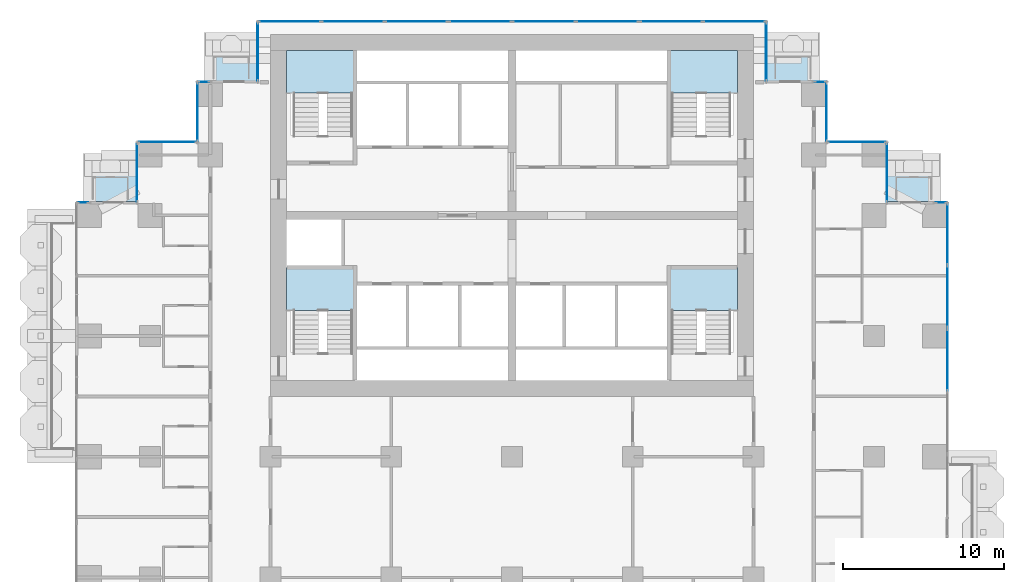
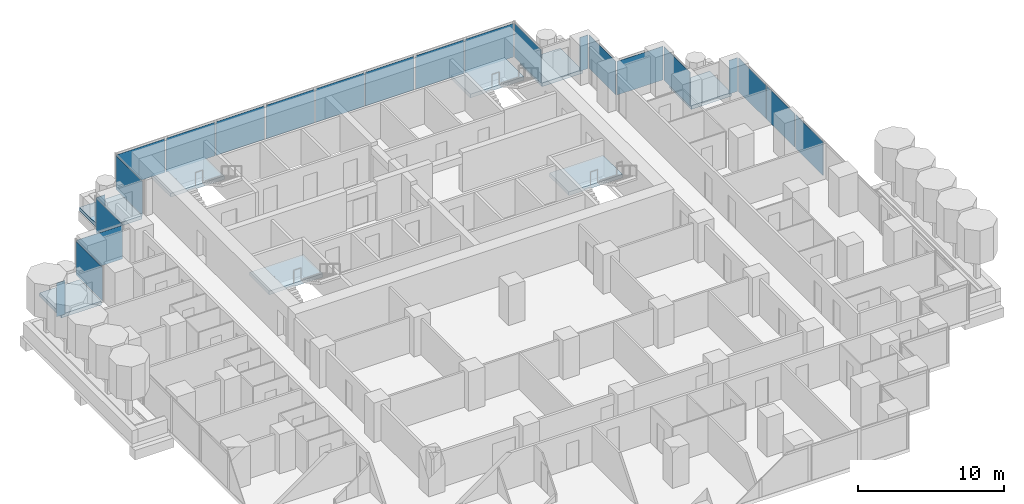
# One storey, part 9 of 18: 23 plates, 8 slabs, 21 elements without a shape of their own.
"""IFC4 building model written with IfcOpenShell, lengths in metres."""

from ifc_helpers import new_model, si_unit, direction, frame, origin, origin_2d, place, context, subcontext, project, spatial, polyline, rectangle, outline, extrude, material, layer, layer_set, type_object, element, aggregate, save


model = new_model("IFC4")

# Units and contexts
model_context = context("Model", 3, precision=1e-05, world=origin(), true_north=direction((0.0, 1.0)))
body_context = subcontext(model_context, "Body", "Model", "MODEL_VIEW")
ifc_project = project(units=[si_unit("LENGTHUNIT", "METRE"), si_unit("AREAUNIT", "SQUARE_METRE"), si_unit("VOLUMEUNIT", "CUBIC_METRE"), si_unit("PLANEANGLEUNIT", "RADIAN"), si_unit("MASSUNIT", "GRAM", prefix="KILO")], contexts=[model_context])

# Site, building, storey
site_placement = place(None, origin())
site = spatial("IfcSite", under=ifc_project, at=site_placement, CompositionType="ELEMENT")
building_placement = place(site_placement, origin())
building = spatial("IfcBuilding", under=site, at=building_placement, Name="Pilkhan Gate Tower", CompositionType="ELEMENT")
storey_placement = place(building_placement, frame((0.0, 0.0, 75.800048828125)))
storey = spatial("IfcBuildingStorey", under=building, at=storey_placement, Name="L17", CompositionType="ELEMENT", Elevation=75.800048828125)

# Slabs
ifc_material_1 = material(Name="Concrete C60/75", Category="concrete")
ifc_layer_1 = layer(ifc_material_1, 0.300048828125)
ifc_layer_set_1 = layer_set([ifc_layer_1], Name="Balcony tray slab TR300")
slab_type_1 = type_object("IfcSlabType", Name="Balcony tray slab TR300", PredefinedType="FLOOR", material=ifc_layer_set_1)
slab_1_placement = place(storey_placement, frame((0.0, 0.0, -0.300048828125)))
element("IfcSlab", 1, at=slab_1_placement, inside=storey, type_object=slab_type_1, Name="Balcony tray L17 N", PredefinedType="FLOOR", context=body_context, shape_type="SweptSolid", body=[
    extrude(outline(polyline([(59.14990234375, 90.85009765625), (59.14990234375, 93.85009765625), (55.949951171875, 93.85009765625), (55.949951171875, 90.85009765625), (59.14990234375, 90.85009765625)])), origin(), (0.0, 0.0, 1.0), 0.300048828125),
])
slab_2_placement = place(storey_placement, frame((0.0, 0.0, -0.300048828125)))
element("IfcSlab", 2, at=slab_2_placement, inside=storey, type_object=slab_type_1, Name="Balcony tray L17 N", PredefinedType="FLOOR", context=body_context, shape_type="SweptSolid", body=[
    extrude(outline(polyline([(94.050048828125, 90.85009765625), (94.050048828125, 93.85009765625), (90.85009765625, 93.85009765625), (90.85009765625, 90.85009765625), (94.050048828125, 90.85009765625)])), origin(), (0.0, 0.0, 1.0), 0.300048828125),
])
slab_3_placement = place(storey_placement, frame((0.0, 0.0, -0.300048828125)))
element("IfcSlab", 3, at=slab_3_placement, inside=storey, type_object=slab_type_1, Name="Balcony tray L17 N", PredefinedType="FLOOR", context=body_context, shape_type="SweptSolid", body=[
    extrude(outline(polyline([(51.6298828125, 83.3701171875), (51.6298828125, 86.35009765625), (48.449951171875, 86.35009765625), (48.449951171875, 83.3701171875), (51.6298828125, 83.3701171875)])), origin(), (0.0, 0.0, 1.0), 0.300048828125),
])
slab_4_placement = place(storey_placement, frame((0.0, 0.0, -0.300048828125)))
element("IfcSlab", 4, at=slab_4_placement, inside=storey, type_object=slab_type_1, Name="Balcony tray L17 N", PredefinedType="FLOOR", context=body_context, shape_type="SweptSolid", body=[
    extrude(outline(polyline([(101.550048828125, 83.3701171875), (101.550048828125, 86.35009765625), (98.3701171875, 86.35009765625), (98.3701171875, 83.3701171875), (101.550048828125, 83.3701171875)])), origin(), (0.0, 0.0, 1.0), 0.300048828125),
])

# Curtain wall, plate
ifc_material_2 = material(Name="Pale anodised aluminium, clear low-iron double glazing", Category="aluminium")
curtain_wall_type = type_object("IfcCurtainWallType", Name="Hotel unitised curtain wall CW-H", PredefinedType="USERDEFINED", material=ifc_material_2)
curtain_wall_1_placement = place(storey_placement, origin())
curtain_wall_1 = element("IfcCurtainWall", 5, at=curtain_wall_1_placement, inside=storey, type_object=curtain_wall_type, Name="Hotel unitised curtain wall CW-H L17 E", ObjectType="UNITISED CURTAIN WALL", PredefinedType="USERDEFINED")
ifc_material_3 = material(Name="Clear low-iron double glazing", Category="glass")
ifc_layer_2 = layer(ifc_material_3, 0.035888671875)
ifc_layer_set_2 = layer_set([ifc_layer_2], Name="Glass panel CW-H 36")
plate_type = type_object("IfcPlateType", Name="Glass panel CW-H 36", PredefinedType="CURTAIN_PANEL", material=ifc_layer_set_2)
plate_1_placement = place(storey_placement, frame((102.044921875, 73.50634765625, 0.0), z_axis=(0.0, 0.0, 1.0), x_axis=(0.0, 1.0, 0.0)))
plate_1 = element("IfcPlate", 6, at=plate_1_placement, type_object=plate_type, Name="CW-H panel 3", PredefinedType="CURTAIN_PANEL", context=body_context, shape_type="SweptSolid", body=[
    extrude(rectangle(XDim=3.8115234375, YDim=0.035888671875, at=origin_2d()), origin(), (0.0, 0.0, 1.0), 2.820068359375),
])
aggregate(curtain_wall_1, [plate_1])

# Curtain wall, plates
curtain_wall_2_placement = place(storey_placement, origin())
curtain_wall_2 = element("IfcCurtainWall", 7, at=curtain_wall_2_placement, inside=storey, type_object=curtain_wall_type, Name="Hotel unitised curtain wall CW-H L17 E", ObjectType="UNITISED CURTAIN WALL", PredefinedType="USERDEFINED")
plate_2_placement = place(storey_placement, frame((102.044921875, 77.44775390625, 0.0), z_axis=(0.0, 0.0, 1.0), x_axis=(0.0, 1.0, 0.0)))
plate_2 = element("IfcPlate", 8, at=plate_2_placement, type_object=plate_type, Name="CW-H panel 1", PredefinedType="CURTAIN_PANEL", context=body_context, shape_type="SweptSolid", body=[
    extrude(rectangle(XDim=3.8115234375, YDim=0.035888671875, at=origin_2d()), origin(), (0.0, 0.0, 1.0), 2.820068359375),
])
plate_3_placement = place(storey_placement, frame((102.044921875, 81.32421875, 0.0), z_axis=(0.0, 0.0, 1.0), x_axis=(0.0, 1.0, 0.0)))
plate_3 = element("IfcPlate", 9, at=plate_3_placement, type_object=plate_type, Name="CW-H panel 2", PredefinedType="CURTAIN_PANEL", context=body_context, shape_type="SweptSolid", body=[
    extrude(rectangle(XDim=3.8115234375, YDim=0.035888671875, at=origin_2d()), origin(), (0.0, 0.0, 1.0), 2.820068359375),
])
aggregate(curtain_wall_2, [plate_2, plate_3])

# Curtain wall, plate
curtain_wall_3_placement = place(storey_placement, origin())
curtain_wall_3 = element("IfcCurtainWall", 10, at=curtain_wall_3_placement, inside=storey, type_object=curtain_wall_type, Name="Hotel unitised curtain wall CW-H L17 N", ObjectType="UNITISED CURTAIN WALL", PredefinedType="USERDEFINED")
plate_4_placement = place(storey_placement, frame((101.6474609375, 83.294921875, 0.0), z_axis=(0.0, 0.0, 1.0), x_axis=(1.0, 0.0, 0.0)))
plate_4 = element("IfcPlate", 11, at=plate_4_placement, type_object=plate_type, Name="CW-H panel 1", PredefinedType="CURTAIN_PANEL", context=body_context, shape_type="SweptSolid", body=[
    extrude(rectangle(XDim=0.6650390625, YDim=0.035888671875, at=origin_2d()), origin(), (0.0, 0.0, 1.0), 2.820068359375),
])
aggregate(curtain_wall_3, [plate_4])

curtain_wall_4_placement = place(storey_placement, origin())
curtain_wall_4 = element("IfcCurtainWall", 12, at=curtain_wall_4_placement, inside=storey, type_object=curtain_wall_type, Name="Hotel unitised curtain wall CW-H L17 E", ObjectType="UNITISED CURTAIN WALL", PredefinedType="USERDEFINED")
plate_5_placement = place(storey_placement, frame((98.294921875, 85.169921875, 0.0), z_axis=(0.0, 0.0, 1.0), x_axis=(0.0, 1.0, 0.0)))
plate_5 = element("IfcPlate", 13, at=plate_5_placement, type_object=plate_type, Name="CW-H panel 1", PredefinedType="CURTAIN_PANEL", context=body_context, shape_type="SweptSolid", body=[
    extrude(rectangle(XDim=3.6201171875, YDim=0.035888671875, at=origin_2d()), origin(), (0.0, 0.0, 1.0), 2.820068359375),
])
aggregate(curtain_wall_4, [plate_5])

curtain_wall_5_placement = place(storey_placement, origin())
curtain_wall_5 = element("IfcCurtainWall", 14, at=curtain_wall_5_placement, inside=storey, type_object=curtain_wall_type, Name="Hotel unitised curtain wall CW-H L17 N", ObjectType="UNITISED CURTAIN WALL", PredefinedType="USERDEFINED")
plate_6_placement = place(storey_placement, frame((96.419921875, 87.044921875, 0.0), z_axis=(0.0, 0.0, 1.0), x_axis=(1.0, 0.0, 0.0)))
plate_6 = element("IfcPlate", 15, at=plate_6_placement, type_object=plate_type, Name="CW-H panel 1", PredefinedType="CURTAIN_PANEL", context=body_context, shape_type="SweptSolid", body=[
    extrude(rectangle(XDim=3.6201171875, YDim=0.035888671875, at=origin_2d()), origin(), (0.0, 0.0, 1.0), 2.820068359375),
])
aggregate(curtain_wall_5, [plate_6])

curtain_wall_6_placement = place(storey_placement, origin())
curtain_wall_6 = element("IfcCurtainWall", 16, at=curtain_wall_6_placement, inside=storey, type_object=curtain_wall_type, Name="Hotel unitised curtain wall CW-H L17 E", ObjectType="UNITISED CURTAIN WALL", PredefinedType="USERDEFINED")
plate_7_placement = place(storey_placement, frame((94.544921875, 88.919921875, 0.0), z_axis=(0.0, 0.0, 1.0), x_axis=(0.0, 1.0, 0.0)))
plate_7 = element("IfcPlate", 17, at=plate_7_placement, type_object=plate_type, Name="CW-H panel 1", PredefinedType="CURTAIN_PANEL", context=body_context, shape_type="SweptSolid", body=[
    extrude(rectangle(XDim=3.6201171875, YDim=0.035888671875, at=origin_2d()), origin(), (0.0, 0.0, 1.0), 2.820068359375),
])
aggregate(curtain_wall_6, [plate_7])

curtain_wall_7_placement = place(storey_placement, origin())
curtain_wall_7 = element("IfcCurtainWall", 18, at=curtain_wall_7_placement, inside=storey, type_object=curtain_wall_type, Name="Hotel unitised curtain wall CW-H L17 N", ObjectType="UNITISED CURTAIN WALL", PredefinedType="USERDEFINED")
plate_8_placement = place(storey_placement, frame((94.1474609375, 90.794921875, 0.0), z_axis=(0.0, 0.0, 1.0), x_axis=(1.0, 0.0, 0.0)))
plate_8 = element("IfcPlate", 19, at=plate_8_placement, type_object=plate_type, Name="CW-H panel 1", PredefinedType="CURTAIN_PANEL", context=body_context, shape_type="SweptSolid", body=[
    extrude(rectangle(XDim=0.6650390625, YDim=0.035888671875, at=origin_2d()), origin(), (0.0, 0.0, 1.0), 2.820068359375),
])
aggregate(curtain_wall_7, [plate_8])

curtain_wall_8_placement = place(storey_placement, origin())
curtain_wall_8 = element("IfcCurtainWall", 20, at=curtain_wall_8_placement, inside=storey, type_object=curtain_wall_type, Name="Hotel unitised curtain wall CW-H L17 E", ObjectType="UNITISED CURTAIN WALL", PredefinedType="USERDEFINED")
plate_9_placement = place(storey_placement, frame((90.794921875, 92.669921875, 0.0), z_axis=(0.0, 0.0, 1.0), x_axis=(0.0, 1.0, 0.0)))
plate_9 = element("IfcPlate", 21, at=plate_9_placement, type_object=plate_type, Name="CW-H panel 1", PredefinedType="CURTAIN_PANEL", context=body_context, shape_type="SweptSolid", body=[
    extrude(rectangle(XDim=3.6201171875, YDim=0.035888671875, at=origin_2d()), origin(), (0.0, 0.0, 1.0), 2.820068359375),
])
aggregate(curtain_wall_8, [plate_9])

# Curtain wall, plates
curtain_wall_9_placement = place(storey_placement, origin())
curtain_wall_9 = element("IfcCurtainWall", 22, at=curtain_wall_9_placement, inside=storey, type_object=curtain_wall_type, Name="Hotel unitised curtain wall CW-H L17 N", ObjectType="UNITISED CURTAIN WALL", PredefinedType="USERDEFINED")
plate_10_placement = place(storey_placement, frame((61.195556640625, 94.544921875, 0.0), z_axis=(0.0, 0.0, 1.0), x_axis=(1.0, 0.0, 0.0)))
plate_10 = element("IfcPlate", 23, at=plate_10_placement, type_object=plate_type, Name="CW-H panel 1", PredefinedType="CURTAIN_PANEL", context=body_context, shape_type="SweptSolid", body=[
    extrude(rectangle(XDim=3.851318359375, YDim=0.035888671875, at=origin_2d()), origin(), (0.0, 0.0, 1.0), 2.820068359375),
])
plate_11_placement = place(storey_placement, frame((65.128173828125, 94.544921875, 0.0), z_axis=(0.0, 0.0, 1.0), x_axis=(1.0, 0.0, 0.0)))
plate_11 = element("IfcPlate", 24, at=plate_11_placement, type_object=plate_type, Name="CW-H panel 2", PredefinedType="CURTAIN_PANEL", context=body_context, shape_type="SweptSolid", body=[
    extrude(rectangle(XDim=3.8837890625, YDim=0.035888671875, at=origin_2d()), origin(), (0.0, 0.0, 1.0), 2.820068359375),
])
plate_12_placement = place(storey_placement, frame((69.060546875, 94.544921875, 0.0), z_axis=(0.0, 0.0, 1.0), x_axis=(1.0, 0.0, 0.0)))
plate_12 = element("IfcPlate", 25, at=plate_12_placement, type_object=plate_type, Name="CW-H panel 3", PredefinedType="CURTAIN_PANEL", context=body_context, shape_type="SweptSolid", body=[
    extrude(rectangle(XDim=3.851318359375, YDim=0.035888671875, at=origin_2d()), origin(), (0.0, 0.0, 1.0), 2.820068359375),
])
aggregate(curtain_wall_9, [plate_10, plate_11, plate_12])

curtain_wall_10_placement = place(storey_placement, origin())
curtain_wall_10 = element("IfcCurtainWall", 26, at=curtain_wall_10_placement, inside=storey, type_object=curtain_wall_type, Name="Hotel unitised curtain wall CW-H L17 N", ObjectType="UNITISED CURTAIN WALL", PredefinedType="USERDEFINED")
plate_13_placement = place(storey_placement, frame((73.0419921875, 94.544921875, 0.0), z_axis=(0.0, 0.0, 1.0), x_axis=(1.0, 0.0, 0.0)))
plate_13 = element("IfcPlate", 27, at=plate_13_placement, type_object=plate_type, Name="CW-H panel 1", PredefinedType="CURTAIN_PANEL", context=body_context, shape_type="SweptSolid", body=[
    extrude(rectangle(XDim=3.851318359375, YDim=0.035888671875, at=origin_2d()), origin(), (0.0, 0.0, 1.0), 2.820068359375),
])
plate_14_placement = place(storey_placement, frame((76.974365234375, 94.544921875, 0.0), z_axis=(0.0, 0.0, 1.0), x_axis=(1.0, 0.0, 0.0)))
plate_14 = element("IfcPlate", 28, at=plate_14_placement, type_object=plate_type, Name="CW-H panel 2", PredefinedType="CURTAIN_PANEL", context=body_context, shape_type="SweptSolid", body=[
    extrude(rectangle(XDim=3.8837890625, YDim=0.035888671875, at=origin_2d()), origin(), (0.0, 0.0, 1.0), 2.820068359375),
])
plate_15_placement = place(storey_placement, frame((80.906982421875, 94.544921875, 0.0), z_axis=(0.0, 0.0, 1.0), x_axis=(1.0, 0.0, 0.0)))
plate_15 = element("IfcPlate", 29, at=plate_15_placement, type_object=plate_type, Name="CW-H panel 3", PredefinedType="CURTAIN_PANEL", context=body_context, shape_type="SweptSolid", body=[
    extrude(rectangle(XDim=3.851318359375, YDim=0.035888671875, at=origin_2d()), origin(), (0.0, 0.0, 1.0), 2.820068359375),
])
aggregate(curtain_wall_10, [plate_13, plate_14, plate_15])

curtain_wall_11_placement = place(storey_placement, origin())
curtain_wall_11 = element("IfcCurtainWall", 30, at=curtain_wall_11_placement, inside=storey, type_object=curtain_wall_type, Name="Hotel unitised curtain wall CW-H L17 N", ObjectType="UNITISED CURTAIN WALL", PredefinedType="USERDEFINED")
plate_16_placement = place(storey_placement, frame((84.88818359375, 94.544921875, 0.0), z_axis=(0.0, 0.0, 1.0), x_axis=(1.0, 0.0, 0.0)))
plate_16 = element("IfcPlate", 31, at=plate_16_placement, type_object=plate_type, Name="CW-H panel 1", PredefinedType="CURTAIN_PANEL", context=body_context, shape_type="SweptSolid", body=[
    extrude(rectangle(XDim=3.851318359375, YDim=0.035888671875, at=origin_2d()), origin(), (0.0, 0.0, 1.0), 2.820068359375),
])
plate_17_placement = place(storey_placement, frame((88.804443359375, 94.544921875, 0.0), z_axis=(0.0, 0.0, 1.0), x_axis=(1.0, 0.0, 0.0)))
plate_17 = element("IfcPlate", 32, at=plate_17_placement, type_object=plate_type, Name="CW-H panel 2", PredefinedType="CURTAIN_PANEL", context=body_context, shape_type="SweptSolid", body=[
    extrude(rectangle(XDim=3.851318359375, YDim=0.035888671875, at=origin_2d()), origin(), (0.0, 0.0, 1.0), 2.820068359375),
])
aggregate(curtain_wall_11, [plate_16, plate_17])

# Curtain wall, plate
curtain_wall_12_placement = place(storey_placement, origin())
curtain_wall_12 = element("IfcCurtainWall", 33, at=curtain_wall_12_placement, inside=storey, type_object=curtain_wall_type, Name="Hotel unitised curtain wall CW-H L17 W", ObjectType="UNITISED CURTAIN WALL", PredefinedType="USERDEFINED")
plate_18_placement = place(storey_placement, frame((59.205078125, 92.669921875, 0.0), z_axis=(0.0, 0.0, 1.0), x_axis=(0.0, 1.0, 0.0)))
plate_18 = element("IfcPlate", 34, at=plate_18_placement, type_object=plate_type, Name="CW-H panel 1", PredefinedType="CURTAIN_PANEL", context=body_context, shape_type="SweptSolid", body=[
    extrude(rectangle(XDim=3.6201171875, YDim=0.035888671875, at=origin_2d()), origin(), (0.0, 0.0, 1.0), 2.820068359375),
])
aggregate(curtain_wall_12, [plate_18])

curtain_wall_13_placement = place(storey_placement, origin())
curtain_wall_13 = element("IfcCurtainWall", 35, at=curtain_wall_13_placement, inside=storey, type_object=curtain_wall_type, Name="Hotel unitised curtain wall CW-H L17 N", ObjectType="UNITISED CURTAIN WALL", PredefinedType="USERDEFINED")
plate_19_placement = place(storey_placement, frame((55.8525390625, 90.794921875, 0.0), z_axis=(0.0, 0.0, 1.0), x_axis=(1.0, 0.0, 0.0)))
plate_19 = element("IfcPlate", 36, at=plate_19_placement, type_object=plate_type, Name="CW-H panel 1", PredefinedType="CURTAIN_PANEL", context=body_context, shape_type="SweptSolid", body=[
    extrude(rectangle(XDim=0.6650390625, YDim=0.035888671875, at=origin_2d()), origin(), (0.0, 0.0, 1.0), 2.820068359375),
])
aggregate(curtain_wall_13, [plate_19])

curtain_wall_14_placement = place(storey_placement, origin())
curtain_wall_14 = element("IfcCurtainWall", 37, at=curtain_wall_14_placement, inside=storey, type_object=curtain_wall_type, Name="Hotel unitised curtain wall CW-H L17 W", ObjectType="UNITISED CURTAIN WALL", PredefinedType="USERDEFINED")
plate_20_placement = place(storey_placement, frame((55.455078125, 88.919921875, 0.0), z_axis=(0.0, 0.0, 1.0), x_axis=(0.0, 1.0, 0.0)))
plate_20 = element("IfcPlate", 38, at=plate_20_placement, type_object=plate_type, Name="CW-H panel 1", PredefinedType="CURTAIN_PANEL", context=body_context, shape_type="SweptSolid", body=[
    extrude(rectangle(XDim=3.6201171875, YDim=0.035888671875, at=origin_2d()), origin(), (0.0, 0.0, 1.0), 2.820068359375),
])
aggregate(curtain_wall_14, [plate_20])

curtain_wall_15_placement = place(storey_placement, origin())
curtain_wall_15 = element("IfcCurtainWall", 39, at=curtain_wall_15_placement, inside=storey, type_object=curtain_wall_type, Name="Hotel unitised curtain wall CW-H L17 N", ObjectType="UNITISED CURTAIN WALL", PredefinedType="USERDEFINED")
plate_21_placement = place(storey_placement, frame((53.580078125, 87.044921875, 0.0), z_axis=(0.0, 0.0, 1.0), x_axis=(1.0, 0.0, 0.0)))
plate_21 = element("IfcPlate", 40, at=plate_21_placement, type_object=plate_type, Name="CW-H panel 1", PredefinedType="CURTAIN_PANEL", context=body_context, shape_type="SweptSolid", body=[
    extrude(rectangle(XDim=3.6201171875, YDim=0.035888671875, at=origin_2d()), origin(), (0.0, 0.0, 1.0), 2.820068359375),
])
aggregate(curtain_wall_15, [plate_21])

curtain_wall_16_placement = place(storey_placement, origin())
curtain_wall_16 = element("IfcCurtainWall", 41, at=curtain_wall_16_placement, inside=storey, type_object=curtain_wall_type, Name="Hotel unitised curtain wall CW-H L17 W", ObjectType="UNITISED CURTAIN WALL", PredefinedType="USERDEFINED")
plate_22_placement = place(storey_placement, frame((51.705078125, 85.169921875, 0.0), z_axis=(0.0, 0.0, 1.0), x_axis=(0.0, 1.0, 0.0)))
plate_22 = element("IfcPlate", 42, at=plate_22_placement, type_object=plate_type, Name="CW-H panel 1", PredefinedType="CURTAIN_PANEL", context=body_context, shape_type="SweptSolid", body=[
    extrude(rectangle(XDim=3.6201171875, YDim=0.035888671875, at=origin_2d()), origin(), (0.0, 0.0, 1.0), 2.820068359375),
])
aggregate(curtain_wall_16, [plate_22])

curtain_wall_17_placement = place(storey_placement, origin())
curtain_wall_17 = element("IfcCurtainWall", 43, at=curtain_wall_17_placement, inside=storey, type_object=curtain_wall_type, Name="Hotel unitised curtain wall CW-H L17 N", ObjectType="UNITISED CURTAIN WALL", PredefinedType="USERDEFINED")
plate_23_placement = place(storey_placement, frame((48.3525390625, 83.294921875, 0.0), z_axis=(0.0, 0.0, 1.0), x_axis=(1.0, 0.0, 0.0)))
plate_23 = element("IfcPlate", 44, at=plate_23_placement, type_object=plate_type, Name="CW-H panel 1", PredefinedType="CURTAIN_PANEL", context=body_context, shape_type="SweptSolid", body=[
    extrude(rectangle(XDim=0.6650390625, YDim=0.035888671875, at=origin_2d()), origin(), (0.0, 0.0, 1.0), 2.820068359375),
])
aggregate(curtain_wall_17, [plate_23])

# Stair, slab
ifc_material_4 = material(Name="Concrete C40/50 precast", Category="concrete")
stair_type_1 = type_object("IfcStairType", Name="Stair ST1 165x300", PredefinedType="HALF_TURN_STAIR", material=ifc_material_4)
stair_1_placement = place(storey_placement, origin())
stair_1 = element("IfcStair", 45, at=stair_1_placement, inside=storey, type_object=stair_type_1, Name="Stair ST1 L17", PredefinedType="HALF_TURN_STAIR")
ifc_material_5 = material(Name="Concrete C40/50", Category="concrete")
ifc_layer_3 = layer(ifc_material_5, 0.199951171875)
ifc_layer_set_3 = layer_set([ifc_layer_3], Name="Stair landing SL200")
slab_type_2 = type_object("IfcSlabType", Name="Stair landing SL200", PredefinedType="LANDING", material=ifc_layer_set_3)
slab_5_placement = place(storey_placement, frame((0.0, 0.0, 1.349853515625)))
slab_5 = element("IfcSlab", 46, at=slab_5_placement, type_object=slab_type_2, Name="ST1 landing 1", PredefinedType="LANDING", context=body_context, shape_type="SweptSolid", body=[
    extrude(outline(polyline([(89.0, 76.60009765625), (89.0, 79.25), (84.75, 79.25), (84.75, 76.60009765625), (89.0, 76.60009765625)])), origin(), (0.0, 0.0, 1.0), 0.300048828125),
])
aggregate(stair_1, [slab_5])

stair_type_2 = type_object("IfcStairType", Name="Stair ST2 165x300", PredefinedType="HALF_TURN_STAIR", material=ifc_material_4)
stair_2_placement = place(storey_placement, origin())
stair_2 = element("IfcStair", 47, at=stair_2_placement, inside=storey, type_object=stair_type_2, Name="Stair ST2 L17", PredefinedType="HALF_TURN_STAIR")
slab_6_placement = place(storey_placement, frame((0.0, 0.0, 1.349853515625)))
slab_6 = element("IfcSlab", 48, at=slab_6_placement, type_object=slab_type_2, Name="ST2 landing 1", PredefinedType="LANDING", context=body_context, shape_type="SweptSolid", body=[
    extrude(outline(polyline([(65.25, 76.60009765625), (65.25, 79.25), (61.0, 79.25), (61.0, 76.60009765625), (65.25, 76.60009765625)])), origin(), (0.0, 0.0, 1.0), 0.300048828125),
])
aggregate(stair_2, [slab_6])

stair_type_3 = type_object("IfcStairType", Name="Stair ST3 165x300", PredefinedType="HALF_TURN_STAIR", material=ifc_material_4)
stair_3_placement = place(storey_placement, origin())
stair_3 = element("IfcStair", 49, at=stair_3_placement, inside=storey, type_object=stair_type_3, Name="Stair ST3 L17", PredefinedType="HALF_TURN_STAIR")
slab_7_placement = place(storey_placement, frame((0.0, 0.0, 1.349853515625)))
slab_7 = element("IfcSlab", 50, at=slab_7_placement, type_object=slab_type_2, Name="ST3 landing 1", PredefinedType="LANDING", context=body_context, shape_type="SweptSolid", body=[
    extrude(outline(polyline([(65.25, 90.10009765625), (65.25, 92.75), (61.0, 92.75), (61.0, 90.10009765625), (65.25, 90.10009765625)])), origin(), (0.0, 0.0, 1.0), 0.300048828125),
])
aggregate(stair_3, [slab_7])

stair_type_4 = type_object("IfcStairType", Name="Stair ST4 165x300", PredefinedType="HALF_TURN_STAIR", material=ifc_material_4)
stair_4_placement = place(storey_placement, origin())
stair_4 = element("IfcStair", 51, at=stair_4_placement, inside=storey, type_object=stair_type_4, Name="Stair ST4 L17", PredefinedType="HALF_TURN_STAIR")
slab_8_placement = place(storey_placement, frame((0.0, 0.0, 1.349853515625)))
slab_8 = element("IfcSlab", 52, at=slab_8_placement, type_object=slab_type_2, Name="ST4 landing 1", PredefinedType="LANDING", context=body_context, shape_type="SweptSolid", body=[
    extrude(outline(polyline([(89.0, 90.10009765625), (89.0, 92.75), (84.75, 92.75), (84.75, 90.10009765625), (89.0, 90.10009765625)])), origin(), (0.0, 0.0, 1.0), 0.300048828125),
])
aggregate(stair_4, [slab_8])

save(model, "model.ifc")
